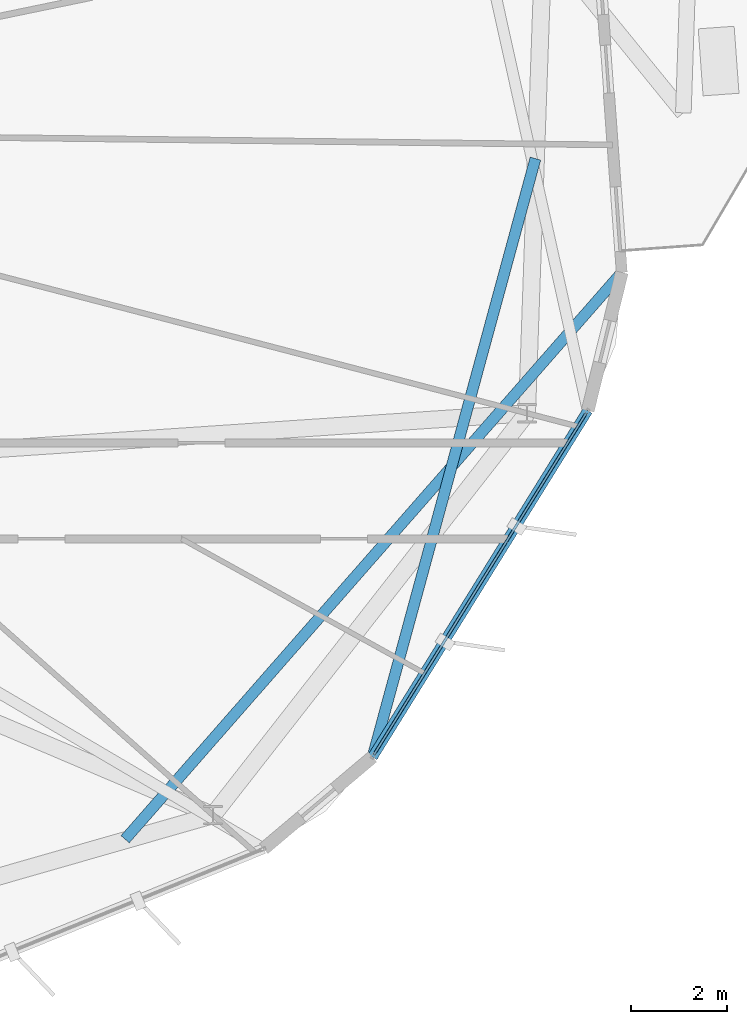
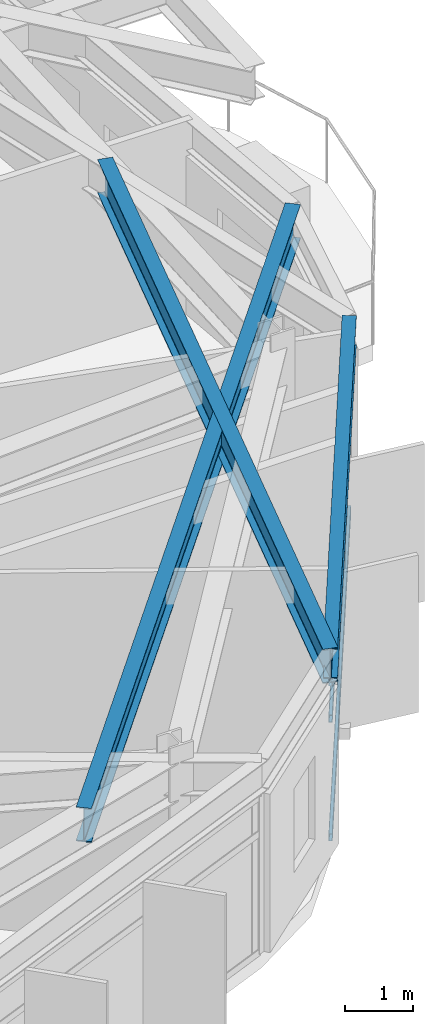
# One storey, part 13 of 26: 3 beams, 3 members, 1 element without a shape of its own.
"""IFC4 building model written with IfcOpenShell, lengths in metres."""

from ifc_helpers import new_model, si_unit, direction, frame, origin, origin_2d, place, context, subcontext, project, spatial, hollow_rectangle, i_section, extrude, material, layer, layer_set, material_profile, profile_set, type_object, element, aggregate, save


model = new_model("IFC4")

# Units and contexts
model_context = context("Model", 3, precision=1e-05, world=origin(), true_north=direction((0.0, 1.0)))
body_context = subcontext(model_context, "Body", "Model", "MODEL_VIEW")
ifc_project = project(units=[si_unit("LENGTHUNIT", "METRE"), si_unit("AREAUNIT", "SQUARE_METRE"), si_unit("VOLUMEUNIT", "CUBIC_METRE"), si_unit("PLANEANGLEUNIT", "RADIAN"), si_unit("MASSUNIT", "GRAM", prefix="KILO")], contexts=[model_context])

# Site, building, storey
site_placement = place(None, origin())
site = spatial("IfcSite", under=ifc_project, at=site_placement, CompositionType="ELEMENT")
building_placement = place(site_placement, origin())
building = spatial("IfcBuilding", under=site, at=building_placement, Name="Soratama Intermodal Tower", CompositionType="ELEMENT")
storey_placement = place(building_placement, frame((0.0, 0.0, 246.25)))
storey = spatial("IfcBuildingStorey", under=building, at=storey_placement, Name="L62", CompositionType="ELEMENT", Elevation=246.25)

# Beams
ifc_material_1 = material(Name="Structural steel ASTM A992 Grade 50", Category="steel")
ifc_material_profile_1 = material_profile(ifc_material_1, i_section(OverallWidth=0.2099609375, OverallDepth=0.537109375, WebThickness=0.010986328125, FlangeThickness=0.017333984375, FilletRadius=0.012939453125, at=origin_2d()), Name="W21X68")
ifc_profile_set_1 = profile_set([ifc_material_profile_1], Name="Structural steel ASTM A992 Grade 50")
beam_type_1 = type_object("IfcBeamType", Name="BM-SPN-W21X68", PredefinedType="SPANDREL", material=ifc_profile_set_1)
beam_1_placement = place(storey_placement, frame((57.943115234375, 11.952880859375, 3.181396484375), z_axis=(0.527781803792, 0.849379990102, 0.0), x_axis=(-0.849379990102, 0.527781803792, 0.0)))
element("IfcBeam", 1, at=beam_1_placement, inside=storey, type_object=beam_type_1, Name="BS-L62-F08", PredefinedType="SPANDREL", context=body_context, shape_type="SweptSolid", body=[
    extrude(i_section(OverallWidth=0.2099609375, OverallDepth=0.537109375, WebThickness=0.010986328125, FlangeThickness=0.017333984375, FilletRadius=0.012939453125, at=origin_2d()), origin(), (0.0, 0.0, 1.0), 8.49951171875),
])
ifc_material_2 = material(Name="Structural steel ASTM A992 Grade 50", Category="steel")
ifc_material_profile_2 = material_profile(ifc_material_2, i_section(OverallWidth=0.22900390625, OverallDepth=0.612060546875, WebThickness=0.011962890625, FlangeThickness=0.01953125, FilletRadius=0.012939453125, at=origin_2d()), Name="W24X84")
ifc_profile_set_2 = profile_set([ifc_material_profile_2], Name="Structural steel ASTM A992 Grade 50")
beam_type_2 = type_object("IfcBeamType", Name="BM-TIE-W24X84", PredefinedType="BEAM", material=ifc_profile_set_2)
beam_2_placement = place(storey_placement, frame((61.339111328125, 24.426025390625, 3.14404296875), z_axis=(-0.262701893135, -0.964877046749, 0.0), x_axis=(0.964877046749, -0.262701893135, 0.0)))
element("IfcBeam", 2, at=beam_2_placement, inside=storey, type_object=beam_type_2, Name="BM-L62-TIE0-08", PredefinedType="BEAM", context=body_context, shape_type="SweptSolid", body=[
    extrude(i_section(OverallWidth=0.22900390625, OverallDepth=0.612060546875, WebThickness=0.011962890625, FlangeThickness=0.01953125, FilletRadius=0.012939453125, at=origin_2d()), origin(), (0.0, 0.0, 1.0), 12.92724609375),
])
beam_3_placement = place(storey_placement, frame((52.785888671875, 10.238037109375, 3.14404296875), z_axis=(0.65910954571, 0.752046944515, 0.0), x_axis=(-0.752046944515, 0.65910954571, 0.0)))
element("IfcBeam", 3, at=beam_3_placement, inside=storey, type_object=beam_type_2, Name="BM-L62-TIE0-09", PredefinedType="BEAM", context=body_context, shape_type="SweptSolid", body=[
    extrude(i_section(OverallWidth=0.22900390625, OverallDepth=0.612060546875, WebThickness=0.011962890625, FlangeThickness=0.01953125, FilletRadius=0.012939453125, at=origin_2d()), origin(), (0.0, 0.0, 1.0), 15.708984375),
])

# Curtain wall, members
ifc_material_3 = material(Name="Double-glazed aluminium curtain wall", Category="aluminium")
ifc_layer = layer(ifc_material_3, 0.159912109375)
ifc_layer_set = layer_set([ifc_layer], Name="Double-glazed aluminium curtain wall")
curtain_wall_type = type_object("IfcCurtainWallType", Name="CW-SYS-5", PredefinedType="NOTDEFINED", material=ifc_layer_set)
curtain_wall_placement = place(storey_placement, origin())
curtain_wall = element("IfcCurtainWall", 4, at=curtain_wall_placement, inside=storey, type_object=curtain_wall_type, Name="L62 Faceted Curtain Wall F08", PredefinedType="NOTDEFINED")
ifc_material_4 = material(Name="Anodised aluminium AA 6063-T6", Category="aluminium")
ifc_material_profile_3 = material_profile(ifc_material_4, hollow_rectangle(XDim=0.06005859375, YDim=0.1298828125, WallThickness=0.0048828125, InnerFilletRadius=0.0048828125, OuterFilletRadius=0.010009765625, at=origin_2d()), Name="CWT130X60X5")
ifc_profile_set_3 = profile_set([ifc_material_profile_3], Name="Anodised aluminium AA 6063-T6")
member_type = type_object("IfcMemberType", Name="TT-CWT-2", PredefinedType="USERDEFINED", material=ifc_profile_set_3)
member_1_placement = place(storey_placement, frame((57.974365234375, 12.003662109375, 0.030029296875), z_axis=(0.527860284926, 0.849331219018, 0.0), x_axis=(-0.849331219018, 0.527860284926, 0.0)))
member_1 = element("IfcMember", 5, at=member_1_placement, type_object=member_type, Name="CW-5 transom 1.1", ObjectType="TRANSOM", PredefinedType="USERDEFINED", context=body_context, shape_type="SweptSolid", body=[
    extrude(hollow_rectangle(XDim=0.06005859375, YDim=0.1298828125, WallThickness=0.0048828125, InnerFilletRadius=0.0048828125, OuterFilletRadius=0.010009765625, at=origin_2d()), origin(), (0.0, 0.0, 1.0), 8.379638671875),
])
member_2_placement = place(storey_placement, frame((57.974365234375, 12.003662109375, 2.14990234375), z_axis=(0.527860284926, 0.849331219018, 0.0), x_axis=(-0.849331219018, 0.527860284926, 0.0)))
member_2 = element("IfcMember", 6, at=member_2_placement, type_object=member_type, Name="CW-5 transom 1.2", ObjectType="TRANSOM", PredefinedType="USERDEFINED", context=body_context, shape_type="SweptSolid", body=[
    extrude(hollow_rectangle(XDim=0.06005859375, YDim=0.1298828125, WallThickness=0.0048828125, InnerFilletRadius=0.0048828125, OuterFilletRadius=0.010009765625, at=origin_2d()), origin(), (0.0, 0.0, 1.0), 8.379638671875),
])
member_3_placement = place(storey_placement, frame((57.974365234375, 12.003662109375, 2.799072265625), z_axis=(0.527860284926, 0.849331219018, 0.0), x_axis=(-0.849331219018, 0.527860284926, 0.0)))
member_3 = element("IfcMember", 7, at=member_3_placement, type_object=member_type, Name="CW-5 transom 1.3", ObjectType="TRANSOM", PredefinedType="USERDEFINED", context=body_context, shape_type="SweptSolid", body=[
    extrude(hollow_rectangle(XDim=0.06005859375, YDim=0.1298828125, WallThickness=0.0048828125, InnerFilletRadius=0.0048828125, OuterFilletRadius=0.010009765625, at=origin_2d()), origin(), (0.0, 0.0, 1.0), 8.379638671875),
])
aggregate(curtain_wall, [member_1, member_2, member_3])

save(model, "model.ifc")
